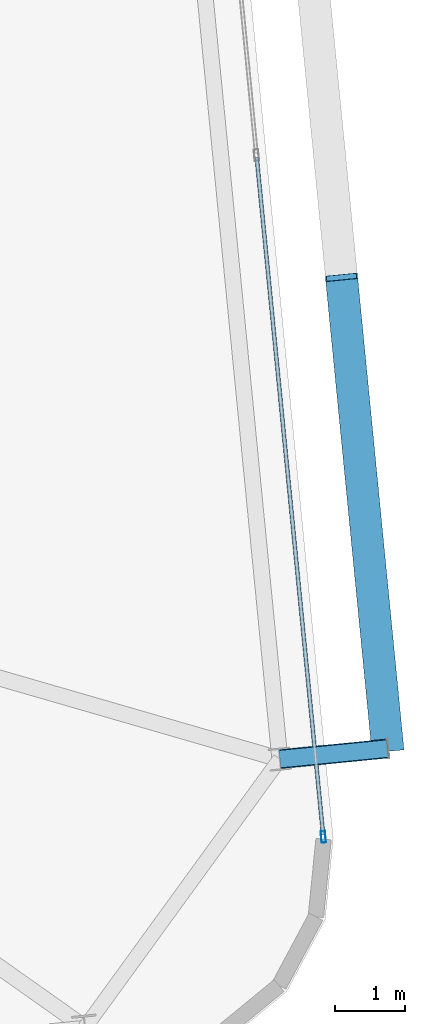
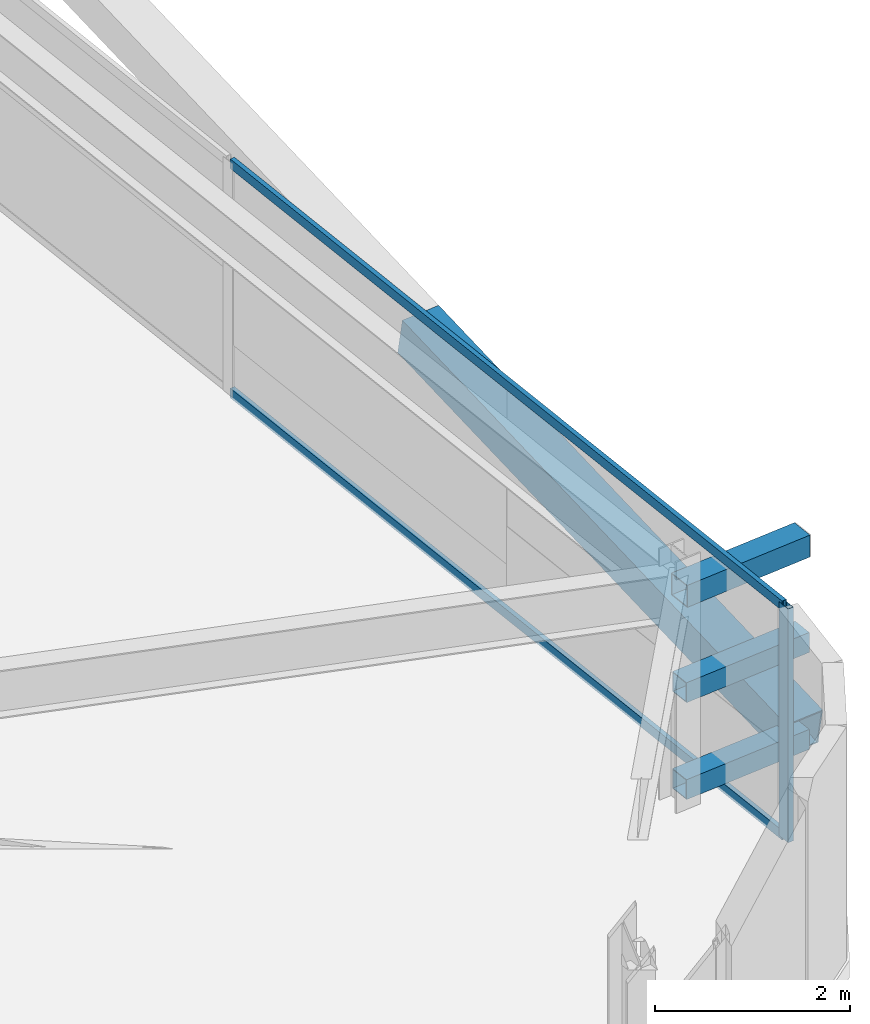
# One storey, part 19 of 47: 7 members, 1 element without a shape of its own.
"""IFC4 building model written with IfcOpenShell, lengths in metres."""

import ifcopenshell
import ifcopenshell.guid

model = None  # the IFC model being written
_history = None  # IfcOwnerHistory: only IFC2X3 demands one
_inside = {}  # id of a spatial element -> (the spatial element, [elements in it])
_under = {}  # id of a project, library or spatial element -> (it, [spatial elements below it])
_declared = {}  # id of a project -> (the project, [libraries it declares])
_typed = {}  # id of a type object -> (the type object, [elements of that type])
_made_of = {}  # id of a material, layer set ... -> (it, [elements and type objects made of it])


def new_model(schema):
    """Start an empty IFC model of exactly this schema.

    Asked for "IFC4X3", IfcOpenShell would pick the latest addendum, in which some entities
    have other attributes; the version numbers below select the first issue.
    IFC2X3 requires an IfcOwnerHistory on every rooted entity: one is made here for all.
    """
    global model, _history
    if schema == "IFC4X3":
        model = ifcopenshell.file(schema_version=(4, 3, 0, 0))
    else:
        model = ifcopenshell.file(schema=schema)
    _inside.clear()
    _under.clear()
    _declared.clear()
    _typed.clear()
    _made_of.clear()
    _history = None
    if model.schema == "IFC2X3":
        org = make("IfcOrganization", Name="unknown")
        user = make(
            "IfcPersonAndOrganization",
            ThePerson=make("IfcPerson", FamilyName="unknown"),
            TheOrganization=org,
        )
        app = make(
            "IfcApplication",
            ApplicationDeveloper=org,
            Version="unknown",
            ApplicationFullName="unknown",
            ApplicationIdentifier="unknown",
        )
        _history = make(
            "IfcOwnerHistory",
            OwningUser=user,
            OwningApplication=app,
            ChangeAction="ADDED",
            CreationDate=0,
        )
    return model


def make(cls, **values):
    """One entity of the class cls with the attributes given. An attribute that is None is left unset."""
    return model.create_entity(
        cls, **{name: value for name, value in values.items() if value is not None}
    )


def rooted(cls, **values):
    """An entity with a GlobalId (a new one), such as an element, a storey or a relation."""
    return make(cls, GlobalId=ifcopenshell.guid.new(), OwnerHistory=_history, **values)


def si_unit(unit_type, name, prefix=None):
    """IfcSIUnit, for example si_unit("LENGTHUNIT", "METRE", prefix="MILLI")."""
    return make("IfcSIUnit", UnitType=unit_type, Prefix=prefix, Name=name)


def assignment(units):
    """IfcUnitAssignment: the units of a project."""
    return None if units is None else make("IfcUnitAssignment", Units=units)


def point(xyz):
    """IfcCartesianPoint."""
    return None if xyz is None else make("IfcCartesianPoint", Coordinates=xyz)


def direction(xyz):
    """IfcDirection."""
    return None if xyz is None else make("IfcDirection", DirectionRatios=xyz)


def frame(location, z_axis=None, x_axis=None):
    """IfcAxis2Placement3D, a coordinate frame: its origin and axes. An axis left out is left unset."""
    return make(
        "IfcAxis2Placement3D",
        Location=point(location),
        Axis=direction(z_axis),
        RefDirection=direction(x_axis),
    )


def frame_2d(location, x_axis=None):
    """IfcAxis2Placement2D, a coordinate frame in the plane: its origin and x axis."""
    return make(
        "IfcAxis2Placement2D", Location=point(location), RefDirection=direction(x_axis)
    )


def origin():
    """The frame at (0, 0, 0) with its axes left unset."""
    return frame((0.0, 0.0, 0.0))


def origin_2d():
    """The frame at (0, 0) in the plane with its x axis left unset."""
    return frame_2d((0.0, 0.0))


def place(relative_to, where):
    """IfcLocalPlacement: puts the frame where relative to a parent placement (None: the world)."""
    return make(
        "IfcLocalPlacement", PlacementRelTo=relative_to, RelativePlacement=where
    )


def context(
    kind, dimensions, precision=None, world=None, true_north=None, identifier=None
):
    """IfcGeometricRepresentationContext, for example the 3D "Model" context."""
    return make(
        "IfcGeometricRepresentationContext",
        ContextIdentifier=identifier,
        ContextType=kind,
        CoordinateSpaceDimension=dimensions,
        Precision=precision,
        WorldCoordinateSystem=world,
        TrueNorth=true_north,
    )


def subcontext(parent, identifier, kind, view, scale=None):
    """IfcGeometricRepresentationSubContext, for example "Body" below "Model"."""
    return make(
        "IfcGeometricRepresentationSubContext",
        ContextIdentifier=identifier,
        ContextType=kind,
        ParentContext=parent,
        TargetScale=scale,
        TargetView=view,
    )


def project(units=None, contexts=None):
    """IfcProject with its units and contexts."""
    return rooted(
        "IfcProject",
        Name="project",
        RepresentationContexts=contexts,
        UnitsInContext=assignment(units),
    )


def spatial(cls, under=None, at=None, **own):
    """A site, building, storey or space (cls), placed at a placement, below another one or the project."""
    s = rooted(cls, ObjectPlacement=at, **own)
    if under is not None:
        _under.setdefault(under.id(), (under, []))[1].append(s)
    return s


def profile(cls, at=None, kind="AREA", **sizes):
    """A parametric profile (cls). Its sizes go by their IFC names, for example OverallWidth=200.0."""
    return make(cls, ProfileType=kind, Position=at, **sizes)


def hollow_rectangle(**sizes):
    """IfcRectangleHollowProfileDef."""
    return profile("IfcRectangleHollowProfileDef", **sizes)


def extrude(swept, where, along, depth):
    """IfcExtrudedAreaSolid: the profile swept, set in the frame where, extruded along a direction by depth."""
    return make(
        "IfcExtrudedAreaSolid",
        SweptArea=swept,
        Position=where,
        ExtrudedDirection=direction(along),
        Depth=depth,
    )


def shape(context_of_items, identifier, shape_type, items):
    """IfcShapeRepresentation: the items that make up one representation, for example the "Body"."""
    return make(
        "IfcShapeRepresentation",
        ContextOfItems=context_of_items,
        RepresentationIdentifier=identifier,
        RepresentationType=shape_type,
        Items=items,
    )


def source(mapping_origin, context_of_items, identifier, shape_type, items):
    """IfcRepresentationMap: a shape defined once, which mapped items show again and again."""
    return make(
        "IfcRepresentationMap",
        MappingOrigin=mapping_origin,
        MappedRepresentation=shape(context_of_items, identifier, shape_type, items),
    )


def transform(
    local_origin,
    x_axis=None,
    y_axis=None,
    z_axis=None,
    scale=None,
    scale2=None,
    scale3=None,
    uniform=True,
):
    """IfcCartesianTransformationOperator3D, or its non-uniform kind. x_axis, y_axis, z_axis: its Axis1, 2, 3."""
    if uniform:
        return make(
            "IfcCartesianTransformationOperator3D",
            Axis1=direction(x_axis),
            Axis2=direction(y_axis),
            LocalOrigin=point(local_origin),
            Scale=scale,
            Axis3=direction(z_axis),
        )
    return make(
        "IfcCartesianTransformationOperator3DnonUniform",
        Axis1=direction(x_axis),
        Axis2=direction(y_axis),
        LocalOrigin=point(local_origin),
        Scale=scale,
        Axis3=direction(z_axis),
        Scale2=scale2,
        Scale3=scale3,
    )


def mapped(mapping_source, mapping_target):
    """IfcMappedItem: shows the shape of a source again, moved by a transform."""
    return make(
        "IfcMappedItem", MappingSource=mapping_source, MappingTarget=mapping_target
    )


def material(Name=None, Category=None):
    """IfcMaterial."""
    return make("IfcMaterial", Name=Name, Category=Category)


def layer(
    of_material, thickness, ventilated=None, Name=None, Category=None, Priority=None
):
    """IfcMaterialLayer: one layer of a wall or slab, of a material (None: an air gap)."""
    return make(
        "IfcMaterialLayer",
        Material=of_material,
        LayerThickness=thickness,
        IsVentilated=ventilated,
        Name=Name,
        Category=Category,
        Priority=Priority,
    )


def layer_set(layers, Name=None):
    """IfcMaterialLayerSet."""
    return make("IfcMaterialLayerSet", MaterialLayers=layers, LayerSetName=Name)


def material_profile(
    of_material, cross_section, Name=None, Category=None, Priority=None
):
    """IfcMaterialProfile: a cross section and its material."""
    return make(
        "IfcMaterialProfile",
        Name=Name,
        Material=of_material,
        Profile=cross_section,
        Priority=Priority,
        Category=Category,
    )


def profile_set(profiles, Name=None, composite=None):
    """IfcMaterialProfileSet."""
    return make(
        "IfcMaterialProfileSet",
        Name=Name,
        MaterialProfiles=profiles,
        CompositeProfile=composite,
    )


def made_of(thing, what):
    """Note that an element or type object is made of a material, layer set ...; save() writes the relation."""
    if what is not None:
        _made_of.setdefault(what.id(), (what, []))[1].append(thing)
    return thing


def type_object(cls, material=None, **own):
    """A type object (cls), such as IfcWallType, which elements share."""
    return made_of(rooted(cls, **own), material)


def element(
    cls,
    number,
    at=None,
    inside=None,
    cuts=None,
    type_object=None,
    material=None,
    context=None,
    identifier="Body",
    shape_type=None,
    held_by="IfcProductDefinitionShape",
    body=None,
    shapes=None,
    **own,
):
    """One element of the class cls, such as IfcWall. Its Tag is "e" and its number.

    at: its placement. inside: the storey or other place that contains it. cuts: it is an
    opening in that element (IfcRelVoidsElement). A single representation is given by context,
    identifier, shape_type and body (its items); several are given by shapes. held_by: the class
    of the entity that holds the representations. save() writes the other relations.
    """
    e = rooted(cls, Tag="e%d" % number, ObjectPlacement=at, **own)
    if body is not None:
        shapes = [shape(context, identifier, shape_type, body)]
    if shapes is not None:
        e.Representation = make(held_by, Representations=shapes)
    if inside is not None:
        _inside.setdefault(inside.id(), (inside, []))[1].append(e)
    if cuts is not None:
        rooted(
            "IfcRelVoidsElement", RelatingBuildingElement=cuts, RelatedOpeningElement=e
        )
    if type_object is not None:
        _typed.setdefault(type_object.id(), (type_object, []))[1].append(e)
    return made_of(e, material)


def aggregate(whole, parts):
    """IfcRelAggregates: a whole, such as a stair, and the parts it consists of."""
    return rooted("IfcRelAggregates", RelatingObject=whole, RelatedObjects=parts)


def save(model, path):
    """Write the relations noted so far, then the file.

    IfcRelAggregates (storeys below a building ...), IfcRelContainedInSpatialStructure (elements
    in a storey), IfcRelDefinesByType, IfcRelAssociatesMaterial and IfcRelDeclares: one each for
    every whole, place, type object, material and project.
    """
    for whole, parts in _under.values():
        aggregate(whole, parts)
    for where, things in _inside.values():
        rooted(
            "IfcRelContainedInSpatialStructure",
            RelatedElements=things,
            RelatingStructure=where,
        )
    for kind, things in _typed.values():
        rooted("IfcRelDefinesByType", RelatedObjects=things, RelatingType=kind)
    for what, things in _made_of.values():
        rooted("IfcRelAssociatesMaterial", RelatedObjects=things, RelatingMaterial=what)
    for by, libraries in _declared.values():
        rooted("IfcRelDeclares", RelatingContext=by, RelatedDefinitions=libraries)
    model.write(path)


model = new_model("IFC4")

# Units and contexts
model_context = context("Model", 3, precision=1e-05, world=origin(), true_north=direction((0.0, 1.0)))
body_context = subcontext(model_context, "Body", "Model", "MODEL_VIEW")
ifc_project = project(units=[si_unit("LENGTHUNIT", "METRE"), si_unit("AREAUNIT", "SQUARE_METRE"), si_unit("VOLUMEUNIT", "CUBIC_METRE"), si_unit("PLANEANGLEUNIT", "RADIAN"), si_unit("MASSUNIT", "GRAM", prefix="KILO")], contexts=[model_context])

# Site, building, storey
site_placement = place(None, origin())
site = spatial("IfcSite", under=ifc_project, at=site_placement, CompositionType="ELEMENT")
building_placement = place(site_placement, origin())
building = spatial("IfcBuilding", under=site, at=building_placement, Name="Taldren Reach Tower", CompositionType="ELEMENT")
storey_placement = place(building_placement, frame((0.0, 0.0, 106.050048828125)))
storey = spatial("IfcBuildingStorey", under=building, at=storey_placement, Name="L32", CompositionType="ELEMENT", Elevation=106.050048828125)

# Members
ifc_material_1 = material(Name="Steel Gr 450 (C450L0)", Category="steel")
ifc_material_profile_1 = material_profile(ifc_material_1, hollow_rectangle(XDim=0.27490234375, YDim=0.27490234375, WallThickness=0.00927734375, at=origin_2d()), Name="275x275x9.3SHS")
ifc_profile_set_1 = profile_set([ifc_material_profile_1], Name="Steel Gr 450 (C450L0)")
member_type_1 = type_object("IfcMemberType", Name="MB-TIE273", PredefinedType="STRUT", material=ifc_profile_set_1)
shared_shape_1 = source(origin(), body_context, "Body", "SweptSolid", [
    extrude(hollow_rectangle(XDim=0.27490234375, YDim=0.27490234375, WallThickness=0.00927734375, at=origin_2d()), origin(), (0.0, 0.0, 1.0), 1.550048828125),
])
member_1_placement = place(storey_placement, frame((65.8916015625, 8.483642578125, 2.64990234375), z_axis=(0.995236318924, 0.097491894511, 0.0), x_axis=(-0.097491894511, 0.995236318924, 0.0)))
element("IfcMember", 1, at=member_1_placement, inside=storey, type_object=member_type_1, Name="Exoskeleton diaphragm tie strut B2-E1 L32", PredefinedType="STRUT", context=body_context, shape_type="MappedRepresentation", body=[
    mapped(shared_shape_1, transform((0.0, 0.0, 0.0), scale=1.0)),
])
ifc_material_2 = material(Name="Steel Gr 350 (C350L0)", Category="steel")
ifc_material_profile_2 = material_profile(ifc_material_2, hollow_rectangle(XDim=0.25, YDim=0.25, WallThickness=0.010009765625, at=origin_2d()), Name="250x250x10.0SHS")
ifc_profile_set_2 = profile_set([ifc_material_profile_2], Name="Steel Gr 350 (C350L0)")
member_type_2 = type_object("IfcMemberType", Name="MB-POST250", PredefinedType="POST", material=ifc_profile_set_2)
shared_shape_2 = source(origin(), body_context, "Body", "SweptSolid", [
    extrude(hollow_rectangle(XDim=0.25, YDim=0.25, WallThickness=0.010009765625, at=origin_2d()), origin(), (0.0, 0.0, 1.0), 1.550048828125),
])
for number, where, z_axis, x_axis, name in (
    (2, (65.8916015625, 8.483642578125, 0.219970703125), (0.995236318924, 0.097491894511, 0.0), (-0.097491894511, 0.995236318924, 0.0), "Exoskeleton base diaphragm tie strut B2-E1 L32"),
    (3, (65.8916015625, 8.483642578125, 1.43505859375), (0.995236318924, 0.097491894511, 0.0), (-0.097491894511, 0.995236318924, 0.0), "Exoskeleton mid-tier diaphragm tie B2-E1 L32"),
):
    element("IfcMember", number, at=place(storey_placement, frame(where, z_axis=z_axis, x_axis=x_axis)), inside=storey, type_object=member_type_2, Name=name, PredefinedType="POST", context=body_context, shape_type="MappedRepresentation", body=[
        mapped(shared_shape_2, transform((0.0, 0.0, 0.0), scale=1.0)),
    ])
ifc_material_profile_3 = material_profile(ifc_material_1, hollow_rectangle(XDim=0.4599609375, YDim=0.4599609375, WallThickness=0.01611328125, at=origin_2d()), Name="460x460x16.0SHS")
ifc_profile_set_3 = profile_set([ifc_material_profile_3], Name="Steel Gr 450 (C450L0)")
member_type_3 = type_object("IfcMemberType", Name="MB-EXO457", PredefinedType="BRACE", material=ifc_profile_set_3)
shared_shape_3 = source(origin(), body_context, "Body", "SweptSolid", [
    extrude(hollow_rectangle(XDim=0.4599609375, YDim=0.4599609375, WallThickness=0.01611328125, at=origin_2d()), origin(), (0.0, 0.0, 1.0), 6.883056640625),
])
member_2_placement = place(storey_placement, frame((67.434326171875, 8.634765625, 0.219970703125), z_axis=(-0.09605145821, 0.97959718347, 0.176531797456), x_axis=(-0.995227290009, -0.097584021339, 0.0)))
element("IfcMember", 4, at=member_2_placement, inside=storey, type_object=member_type_3, Name="Exoskeleton Diagrid Brace B2-E1 L32", PredefinedType="BRACE", context=body_context, shape_type="MappedRepresentation", body=[
    mapped(shared_shape_3, transform((0.0, 0.0, 0.0), scale=1.0)),
])

# Curtain wall, members
ifc_material_3 = material(Name="Aluminium and Low-E Glass Unitised System", Category="aluminium")
ifc_layer = layer(ifc_material_3, 0.159912109375)
ifc_layer_set = layer_set([ifc_layer], Name="Aluminium and Low-E Glass Unitised System")
curtain_wall_type = type_object("IfcCurtainWallType", Name="CW-SYS-3", PredefinedType="NOTDEFINED", material=ifc_layer_set)
curtain_wall_placement = place(storey_placement, origin())
curtain_wall = element("IfcCurtainWall", 5, at=curtain_wall_placement, inside=storey, type_object=curtain_wall_type, Name="Unitised curtain wall CW-L32-E", PredefinedType="NOTDEFINED")
ifc_material_4 = material(Name="Anodised Aluminium 6063-T6", Category="aluminium")
ifc_material_profile_4 = material_profile(ifc_material_4, hollow_rectangle(XDim=0.06494140625, YDim=0.1650390625, WallThickness=0.00390625, at=origin_2d()), Name="ALU-165x65x4RHS")
ifc_profile_set_4 = profile_set([ifc_material_profile_4], Name="Anodised Aluminium 6063-T6")
member_type_4 = type_object("IfcMemberType", Name="CW-MUL-165", PredefinedType="MULLION", material=ifc_profile_set_4)
shared_shape_4 = source(origin(), body_context, "Body", "SweptSolid", [
    extrude(hollow_rectangle(XDim=0.06494140625, YDim=0.1650390625, WallThickness=0.00390625, at=origin_2d()), origin(), (0.0, 0.0, 1.0), 2.929931640625),
])
member_3_placement = place(storey_placement, frame((66.51318359375, 7.371337890625, 0.0), z_axis=(0.0, 0.0, 1.0), x_axis=(-0.99522741555, -0.09758274098, 0.0)))
member_3 = element("IfcMember", 6, at=member_3_placement, type_object=member_type_4, Name="CW-3 mullion 1", PredefinedType="MULLION", context=body_context, shape_type="MappedRepresentation", body=[
    mapped(shared_shape_4, transform((0.0, 0.0, 0.0), scale=1.0)),
])
ifc_material_profile_5 = material_profile(ifc_material_4, hollow_rectangle(XDim=0.054931640625, YDim=0.1201171875, WallThickness=0.0029296875, at=origin_2d()), Name="ALU-120x55x3RHS")
ifc_profile_set_5 = profile_set([ifc_material_profile_5], Name="Anodised Aluminium 6063-T6")
member_type_5 = type_object("IfcMemberType", Name="CW-TRN-135", PredefinedType="USERDEFINED", material=ifc_profile_set_5)
shared_shape_5 = source(origin(), body_context, "Body", "SweptSolid", [
    extrude(hollow_rectangle(XDim=0.054931640625, YDim=0.1201171875, WallThickness=0.0029296875, at=origin_2d()), origin(), (0.0, 0.0, 1.0), 9.735595703125),
])
member_4_placement = place(storey_placement, frame((66.510009765625, 7.40380859375, 0.02734375), z_axis=(-0.097574346172, 0.995228238631, 0.0), x_axis=(-0.995228238631, -0.097574346172, 0.0)))
member_4 = element("IfcMember", 7, at=member_4_placement, type_object=member_type_5, Name="CW-3 transom 1.1", ObjectType="TRANSOM", PredefinedType="USERDEFINED", context=body_context, shape_type="MappedRepresentation", body=[
    mapped(shared_shape_5, transform((0.0, 0.0, 0.0), scale=1.0)),
])
member_5_placement = place(storey_placement, frame((66.510009765625, 7.40380859375, 2.90234375), z_axis=(-0.097574346172, 0.995228238631, 0.0), x_axis=(-0.995228238631, -0.097574346172, 0.0)))
member_5 = element("IfcMember", 8, at=member_5_placement, type_object=member_type_5, Name="CW-3 transom 1.2", ObjectType="TRANSOM", PredefinedType="USERDEFINED", context=body_context, shape_type="MappedRepresentation", body=[
    mapped(shared_shape_5, transform((0.0, 0.0, 0.0), scale=1.0)),
])
aggregate(curtain_wall, [member_3, member_4, member_5])

save(model, "model.ifc")
